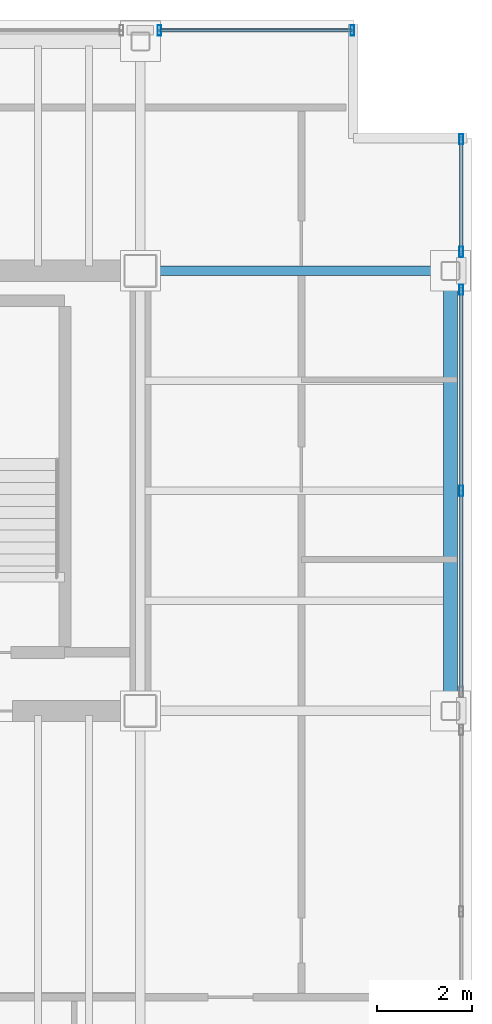
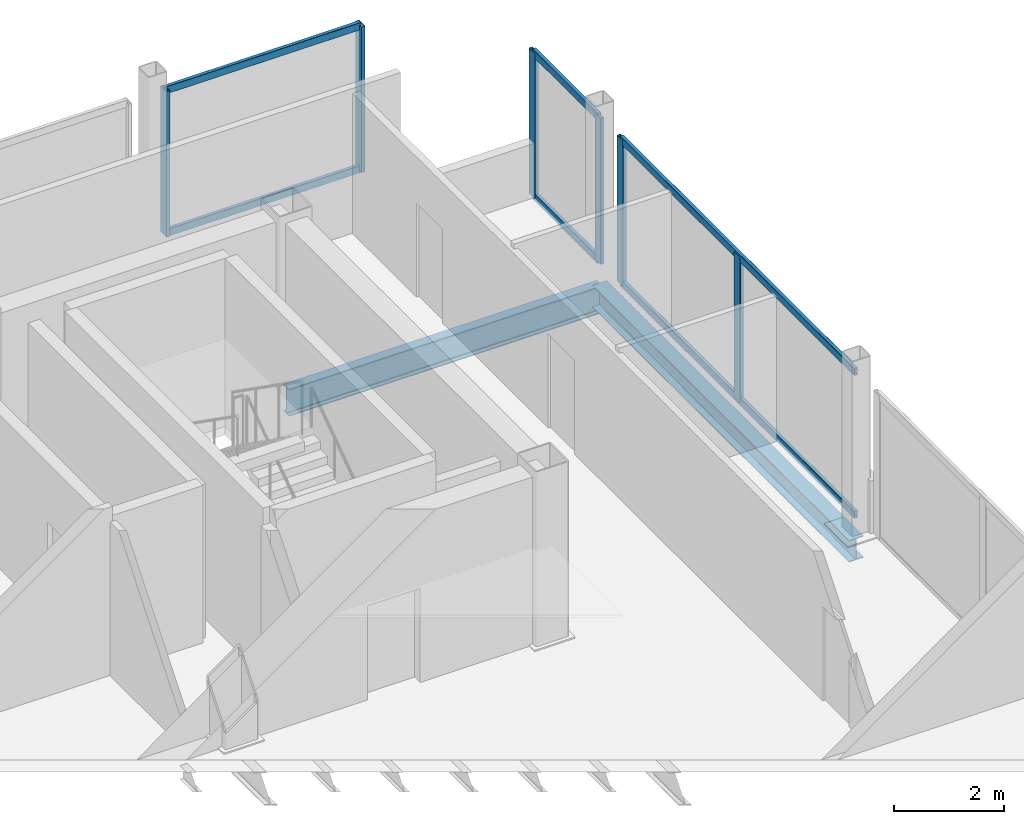
# One storey, part 13 of 17: 12 members, 2 beams, 3 elements without a shape of their own.
"""IFC4 building model written with IfcOpenShell, lengths in metres."""

from ifc_helpers import new_model, si_unit, direction, frame, origin, origin_2d, place, context, subcontext, project, spatial, hollow_rectangle, i_section, extrude, material, material_profile, profile_set, type_object, element, aggregate, save


model = new_model("IFC4")

# Units and contexts
model_context = context("Model", 3, precision=1e-05, world=origin(), true_north=direction((0.0, 1.0)))
body_context = subcontext(model_context, "Body", "Model", "MODEL_VIEW")
ifc_project = project(units=[si_unit("LENGTHUNIT", "METRE"), si_unit("AREAUNIT", "SQUARE_METRE"), si_unit("VOLUMEUNIT", "CUBIC_METRE"), si_unit("PLANEANGLEUNIT", "RADIAN"), si_unit("MASSUNIT", "GRAM", prefix="KILO")], contexts=[model_context])

# Site, building, storey
site_placement = place(None, origin())
site = spatial("IfcSite", under=ifc_project, at=site_placement, CompositionType="ELEMENT")
building_placement = place(site_placement, origin())
building = spatial("IfcBuilding", under=site, at=building_placement, Name="Noeulbin Bourse Tower", CompositionType="ELEMENT")
storey_placement = place(building_placement, frame((0.0, 0.0, 296.89990234375)))
storey = spatial("IfcBuildingStorey", under=building, at=storey_placement, Name="L74", CompositionType="ELEMENT", Elevation=296.89990234375)

# Beams
ifc_material_1 = material(Name="Steel S355", Category="steel")
ifc_material_profile_1 = material_profile(ifc_material_1, i_section(OverallWidth=0.199951171875, OverallDepth=0.60009765625, WebThickness=0.010986328125, FlangeThickness=0.01708984375, FilletRadius=0.02197265625, at=origin_2d()), Name="H-600x200x11x17", Category="LoadBearing")
ifc_profile_set_1 = profile_set([ifc_material_profile_1], Name="Steel S355")
beam_type_1 = type_object("IfcBeamType", Name="BM-GRD-600", PredefinedType="USERDEFINED", material=ifc_profile_set_1)
beam_1_placement = place(storey_placement, frame((44.0, 38.300048828125, -0.47998046875), z_axis=(1.0, 0.0, 0.0), x_axis=(0.0, 1.0, 0.0)))
element("IfcBeam", 1, at=beam_1_placement, inside=storey, type_object=beam_type_1, Name="Tower Primary Girder EW L74-3.4", ObjectType="GIRDER", PredefinedType="USERDEFINED", context=body_context, shape_type="SweptSolid", body=[
    extrude(i_section(OverallWidth=0.199951171875, OverallDepth=0.60009765625, WebThickness=0.010986328125, FlangeThickness=0.01708984375, FilletRadius=0.02197265625, at=origin_2d()), origin(), (0.0, 0.0, 1.0), 6.550048828125),
])
ifc_material_profile_2 = material_profile(ifc_material_1, i_section(OverallWidth=0.300048828125, OverallDepth=0.488037109375, WebThickness=0.010986328125, FlangeThickness=0.01806640625, FilletRadius=0.02197265625, at=origin_2d()), Name="H-488x300x11x18", Category="LoadBearing")
ifc_profile_set_2 = profile_set([ifc_material_profile_2], Name="Steel S355")
beam_type_2 = type_object("IfcBeamType", Name="BM-SPN-488", PredefinedType="SPANDREL", material=ifc_profile_set_2)
beam_2_placement = place(storey_placement, frame((50.550048828125, 29.0, -0.423828125), z_axis=(0.0, 1.0, 0.0), x_axis=(-1.0, 0.0, 0.0)))
element("IfcBeam", 2, at=beam_2_placement, inside=storey, type_object=beam_type_2, Name="East Spandrel L74-1", PredefinedType="SPANDREL", context=body_context, shape_type="SweptSolid", body=[
    extrude(i_section(OverallWidth=0.300048828125, OverallDepth=0.488037109375, WebThickness=0.010986328125, FlangeThickness=0.01806640625, FilletRadius=0.02197265625, at=origin_2d()), origin(), (0.0, 0.0, 1.0), 9.300048828125),
])

# Curtain wall, members
ifc_material_2 = material(Name="High-Selectivity Low-Iron Glazing", Category="glass")
curtain_wall_type = type_object("IfcCurtainWallType", Name="CW-SYS-4", PredefinedType="NOTDEFINED", material=ifc_material_2)
curtain_wall_1_placement = place(storey_placement, origin())
curtain_wall_1 = element("IfcCurtainWall", 3, at=curtain_wall_1_placement, inside=storey, type_object=curtain_wall_type, Name="Unitised Curtain Wall CW-L74-N-S5", PredefinedType="NOTDEFINED")
ifc_material_3 = material(Name="Anodised Aluminium 6063-T6", Category="aluminium")
ifc_material_profile_3 = material_profile(ifc_material_3, hollow_rectangle(XDim=0.074951171875, YDim=0.219970703125, WallThickness=0.0048828125, InnerFilletRadius=0.00244140625, OuterFilletRadius=0.0048828125, at=origin_2d()), Name="ALU-MULL-75x220x5", Category="LoadBearing")
ifc_profile_set_3 = profile_set([ifc_material_profile_3], Name="Anodised Aluminium 6063-T6")
member_type_1 = type_object("IfcMemberType", Name="CW-SYS-4-MUL", PredefinedType="MULLION", material=ifc_profile_set_3)
member_1_placement = place(storey_placement, frame((44.39990234375, 43.3798828125, -0.02001953125), z_axis=(0.0, 0.0, 1.0), x_axis=(1.0, 0.0, 0.0)))
member_1 = element("IfcMember", 4, at=member_1_placement, type_object=member_type_1, Name="Curtain Wall Mullion CW-L74-N-S5-M00", PredefinedType="MULLION", context=body_context, shape_type="SweptSolid", body=[
    extrude(hollow_rectangle(XDim=0.074951171875, YDim=0.219970703125, WallThickness=0.0048828125, InnerFilletRadius=0.00244140625, OuterFilletRadius=0.0048828125, at=origin_2d()), origin(), (0.0, 0.0, 1.0), 3.22021484375),
])
member_2_placement = place(storey_placement, frame((48.47998046875, 43.3798828125, -0.02001953125), z_axis=(0.0, 0.0, 1.0), x_axis=(1.0, 0.0, 0.0)))
member_2 = element("IfcMember", 5, at=member_2_placement, type_object=member_type_1, Name="Curtain Wall Mullion CW-L74-N-S5-M01", PredefinedType="MULLION", context=body_context, shape_type="SweptSolid", body=[
    extrude(hollow_rectangle(XDim=0.074951171875, YDim=0.219970703125, WallThickness=0.0048828125, InnerFilletRadius=0.00244140625, OuterFilletRadius=0.0048828125, at=origin_2d()), origin(), (0.0, 0.0, 1.0), 3.22021484375),
])

curtain_wall_2_placement = place(storey_placement, origin())
curtain_wall_2 = element("IfcCurtainWall", 6, at=curtain_wall_2_placement, inside=storey, type_object=curtain_wall_type, Name="Unitised Curtain Wall CW-L74-E-S2", PredefinedType="NOTDEFINED")
member_3_placement = place(storey_placement, frame((50.780029296875, 33.64990234375, -0.02001953125), z_axis=(0.0, 0.0, 1.0), x_axis=(1.0, 0.0, 0.0)))
member_3 = element("IfcMember", 7, at=member_3_placement, type_object=member_type_1, Name="Curtain Wall Mullion CW-L74-E-S2-M01", PredefinedType="MULLION", context=body_context, shape_type="SweptSolid", body=[
    extrude(hollow_rectangle(XDim=0.074951171875, YDim=0.219970703125, WallThickness=0.0048828125, InnerFilletRadius=0.00244140625, OuterFilletRadius=0.0048828125, at=origin_2d()), origin(), (0.0, 0.0, 1.0), 3.22021484375),
])
member_4_placement = place(storey_placement, frame((50.780029296875, 37.89990234375, -0.02001953125), z_axis=(0.0, 0.0, 1.0), x_axis=(1.0, 0.0, 0.0)))
member_4 = element("IfcMember", 8, at=member_4_placement, type_object=member_type_1, Name="Curtain Wall Mullion CW-L74-E-S2-M02", PredefinedType="MULLION", context=body_context, shape_type="SweptSolid", body=[
    extrude(hollow_rectangle(XDim=0.074951171875, YDim=0.219970703125, WallThickness=0.0048828125, InnerFilletRadius=0.00244140625, OuterFilletRadius=0.0048828125, at=origin_2d()), origin(), (0.0, 0.0, 1.0), 3.22021484375),
])

curtain_wall_3_placement = place(storey_placement, origin())
curtain_wall_3 = element("IfcCurtainWall", 9, at=curtain_wall_3_placement, inside=storey, type_object=curtain_wall_type, Name="Unitised Curtain Wall CW-L74-E-S3", PredefinedType="NOTDEFINED")
member_5_placement = place(storey_placement, frame((50.780029296875, 38.699951171875, -0.02001953125), z_axis=(0.0, 0.0, 1.0), x_axis=(1.0, 0.0, 0.0)))
member_5 = element("IfcMember", 10, at=member_5_placement, type_object=member_type_1, Name="Curtain Wall Mullion CW-L74-E-S3-M00", PredefinedType="MULLION", context=body_context, shape_type="SweptSolid", body=[
    extrude(hollow_rectangle(XDim=0.074951171875, YDim=0.219970703125, WallThickness=0.0048828125, InnerFilletRadius=0.00244140625, OuterFilletRadius=0.0048828125, at=origin_2d()), origin(), (0.0, 0.0, 1.0), 3.22021484375),
])
member_6_placement = place(storey_placement, frame((50.780029296875, 41.080078125, -0.02001953125), z_axis=(0.0, 0.0, 1.0), x_axis=(1.0, 0.0, 0.0)))
member_6 = element("IfcMember", 11, at=member_6_placement, type_object=member_type_1, Name="Curtain Wall Mullion CW-L74-E-S3-M01", PredefinedType="MULLION", context=body_context, shape_type="SweptSolid", body=[
    extrude(hollow_rectangle(XDim=0.074951171875, YDim=0.219970703125, WallThickness=0.0048828125, InnerFilletRadius=0.00244140625, OuterFilletRadius=0.0048828125, at=origin_2d()), origin(), (0.0, 0.0, 1.0), 3.22021484375),
])

# Member
ifc_material_profile_4 = material_profile(ifc_material_3, hollow_rectangle(XDim=0.074951171875, YDim=0.159912109375, WallThickness=0.0048828125, InnerFilletRadius=0.00244140625, OuterFilletRadius=0.0048828125, at=origin_2d()), Name="ALU-TRAN-75x160x5", Category="LoadBearing")
ifc_profile_set_4 = profile_set([ifc_material_profile_4], Name="Anodised Aluminium 6063-T6")
member_type_2 = type_object("IfcMemberType", Name="CW-SYS-4-TRN", PredefinedType="USERDEFINED", material=ifc_profile_set_4)
member_7_placement = place(storey_placement, frame((44.409912109375, 43.3798828125, 0.010009765625), z_axis=(1.0, 0.0, 0.0), x_axis=(0.0, 1.0, 0.0)))
member_7 = element("IfcMember", 12, at=member_7_placement, type_object=member_type_2, Name="Curtain Wall Transom CW-L74-N-S5-T00", ObjectType="TRANSOM", PredefinedType="USERDEFINED", context=body_context, shape_type="SweptSolid", body=[
    extrude(hollow_rectangle(XDim=0.074951171875, YDim=0.159912109375, WallThickness=0.0048828125, InnerFilletRadius=0.00244140625, OuterFilletRadius=0.0048828125, at=origin_2d()), origin(), (0.0, 0.0, 1.0), 4.06005859375),
])

member_8_placement = place(storey_placement, frame((44.409912109375, 43.3798828125, 3.170166015625), z_axis=(1.0, 0.0, 0.0), x_axis=(0.0, 1.0, 0.0)))
member_8 = element("IfcMember", 13, at=member_8_placement, type_object=member_type_2, Name="Curtain Wall Transom CW-L74-N-S5-T01", ObjectType="TRANSOM", PredefinedType="USERDEFINED", context=body_context, shape_type="SweptSolid", body=[
    extrude(hollow_rectangle(XDim=0.074951171875, YDim=0.159912109375, WallThickness=0.0048828125, InnerFilletRadius=0.00244140625, OuterFilletRadius=0.0048828125, at=origin_2d()), origin(), (0.0, 0.0, 1.0), 4.06005859375),
])

aggregate(curtain_wall_1, [member_1, member_2, member_7, member_8])

member_9_placement = place(storey_placement, frame((50.780029296875, 29.409912109375, 0.010009765625), z_axis=(0.0, 1.0, 0.0), x_axis=(-1.0, 0.0, 0.0)))
member_9 = element("IfcMember", 14, at=member_9_placement, type_object=member_type_2, Name="Curtain Wall Transom CW-L74-E-S2-T00", ObjectType="TRANSOM", PredefinedType="USERDEFINED", context=body_context, shape_type="SweptSolid", body=[
    extrude(hollow_rectangle(XDim=0.074951171875, YDim=0.159912109375, WallThickness=0.0048828125, InnerFilletRadius=0.00244140625, OuterFilletRadius=0.0048828125, at=origin_2d()), origin(), (0.0, 0.0, 1.0), 8.47998046875),
])

member_10_placement = place(storey_placement, frame((50.780029296875, 29.409912109375, 3.170166015625), z_axis=(0.0, 1.0, 0.0), x_axis=(-1.0, 0.0, 0.0)))
member_10 = element("IfcMember", 15, at=member_10_placement, type_object=member_type_2, Name="Curtain Wall Transom CW-L74-E-S2-T01", ObjectType="TRANSOM", PredefinedType="USERDEFINED", context=body_context, shape_type="SweptSolid", body=[
    extrude(hollow_rectangle(XDim=0.074951171875, YDim=0.159912109375, WallThickness=0.0048828125, InnerFilletRadius=0.00244140625, OuterFilletRadius=0.0048828125, at=origin_2d()), origin(), (0.0, 0.0, 1.0), 8.47998046875),
])

aggregate(curtain_wall_2, [member_3, member_4, member_9, member_10])

member_11_placement = place(storey_placement, frame((50.780029296875, 38.7099609375, 0.010009765625), z_axis=(0.0, 1.0, 0.0), x_axis=(-1.0, 0.0, 0.0)))
member_11 = element("IfcMember", 16, at=member_11_placement, type_object=member_type_2, Name="Curtain Wall Transom CW-L74-E-S3-T00", ObjectType="TRANSOM", PredefinedType="USERDEFINED", context=body_context, shape_type="SweptSolid", body=[
    extrude(hollow_rectangle(XDim=0.074951171875, YDim=0.159912109375, WallThickness=0.0048828125, InnerFilletRadius=0.00244140625, OuterFilletRadius=0.0048828125, at=origin_2d()), origin(), (0.0, 0.0, 1.0), 2.360107421875),
])

member_12_placement = place(storey_placement, frame((50.780029296875, 38.7099609375, 3.170166015625), z_axis=(0.0, 1.0, 0.0), x_axis=(-1.0, 0.0, 0.0)))
member_12 = element("IfcMember", 17, at=member_12_placement, type_object=member_type_2, Name="Curtain Wall Transom CW-L74-E-S3-T01", ObjectType="TRANSOM", PredefinedType="USERDEFINED", context=body_context, shape_type="SweptSolid", body=[
    extrude(hollow_rectangle(XDim=0.074951171875, YDim=0.159912109375, WallThickness=0.0048828125, InnerFilletRadius=0.00244140625, OuterFilletRadius=0.0048828125, at=origin_2d()), origin(), (0.0, 0.0, 1.0), 2.360107421875),
])

aggregate(curtain_wall_3, [member_5, member_6, member_11, member_12])

save(model, "model.ifc")
